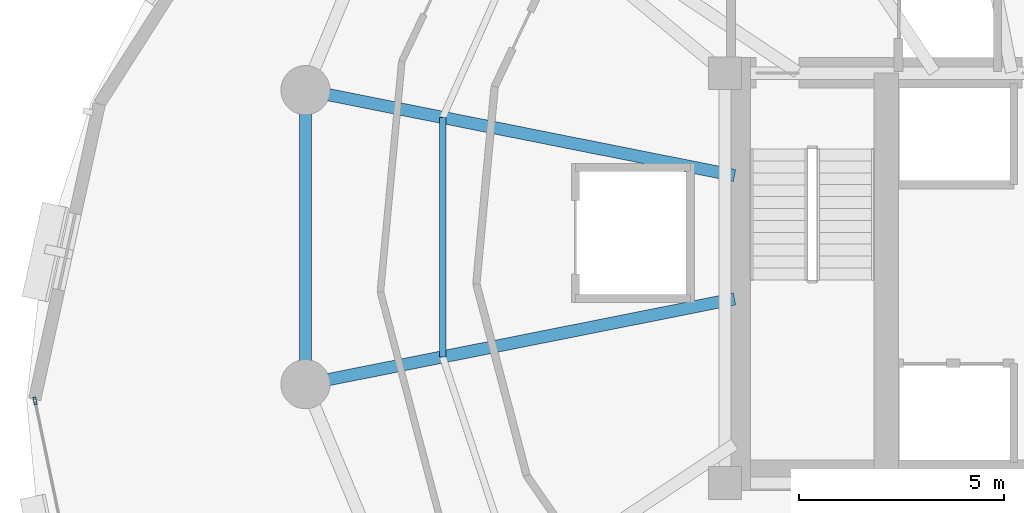
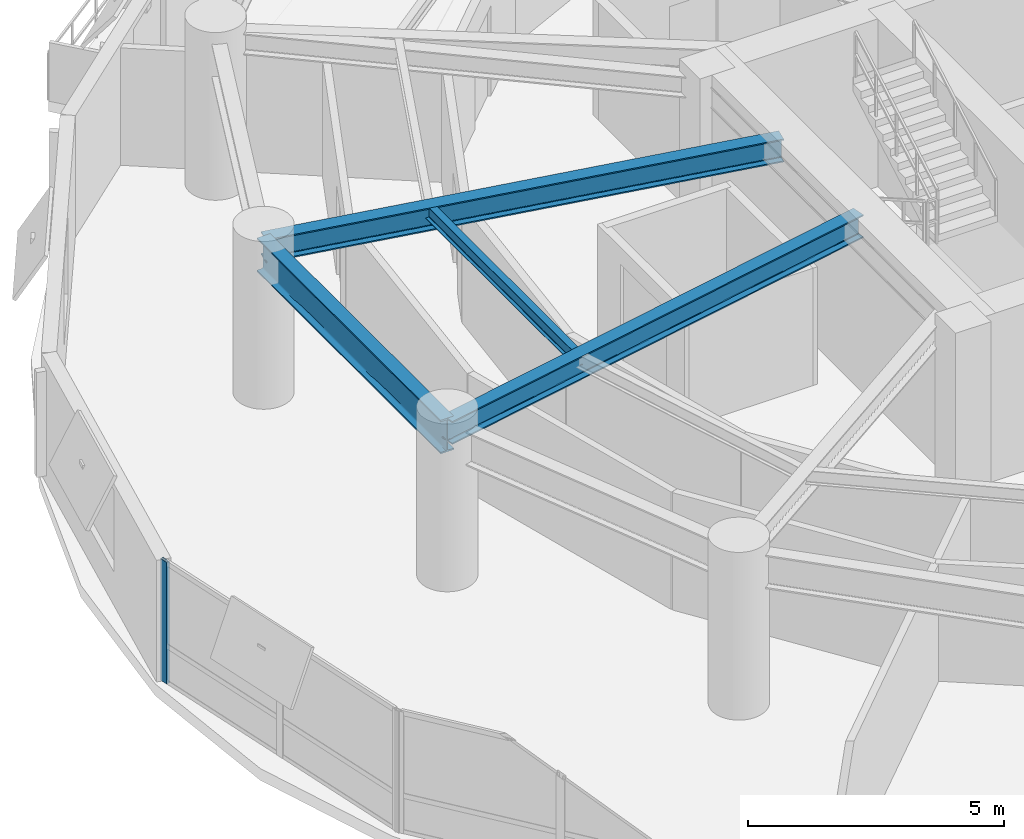
# One storey, part 4 of 14: 4 beams, 1 member, 1 element without a shape of its own.
"""IFC4 building model written with IfcOpenShell, lengths in metres."""

from ifc_helpers import new_model, si_unit, direction, frame, origin, origin_2d, place, context, subcontext, project, spatial, hollow_rectangle, i_section, extrude, material, layer, layer_set, material_profile, profile_set, type_object, element, aggregate, save


model = new_model("IFC4")

# Units and contexts
model_context = context("Model", 3, precision=1e-05, world=origin(), true_north=direction((0.0, 1.0)))
body_context = subcontext(model_context, "Body", "Model", "MODEL_VIEW")
ifc_project = project(units=[si_unit("LENGTHUNIT", "METRE"), si_unit("AREAUNIT", "SQUARE_METRE"), si_unit("VOLUMEUNIT", "CUBIC_METRE"), si_unit("PLANEANGLEUNIT", "RADIAN"), si_unit("MASSUNIT", "GRAM", prefix="KILO"), si_unit("THERMODYNAMICTEMPERATUREUNIT", "KELVIN"), si_unit("POWERUNIT", "WATT")], contexts=[model_context])

# Site, building, storey
site_placement = place(None, origin())
site = spatial("IfcSite", under=ifc_project, at=site_placement, CompositionType="ELEMENT")
building_placement = place(site_placement, origin())
building = spatial("IfcBuilding", under=site, at=building_placement, Name="Ocrelia Relay Tower", CompositionType="ELEMENT")
storey_placement = place(building_placement, frame((0.0, 0.0, 137.800048828125)))
storey = spatial("IfcBuildingStorey", under=building, at=storey_placement, Name="L32", CompositionType="ELEMENT", Elevation=137.800048828125)

# Beams
ifc_material_1 = material(Name="Steel S355", Category="steel")
ifc_material_profile_1 = material_profile(ifc_material_1, i_section(OverallWidth=0.300048828125, OverallDepth=0.550048828125, WebThickness=0.014892578125, FlangeThickness=0.029052734375, FilletRadius=0.027099609375, at=origin_2d()), Name="HEB 550")
ifc_profile_set_1 = profile_set([ifc_material_profile_1], Name="Steel S355")
beam_type_1 = type_object("IfcBeamType", Name="BM-HEB550", PredefinedType="BEAM", material=ifc_profile_set_1)
for number, where, z_axis, x_axis, name in (
    (1, (15.95361328125, 29.589599609375, 3.445068359375), (0.980787592082, -0.195078700063, 0.0), (0.195078700063, 0.980787592082, 0.0), "L32 Radial Floor Girder R08"),
    (2, (15.95361328125, 22.410400390625, 3.445068359375), (0.980787592082, 0.195078700063, 0.0), (-0.195078700063, 0.980787592082, 0.0), "L32 Radial Floor Girder R09"),
):
    element("IfcBeam", number, at=place(storey_placement, frame(where, z_axis=z_axis, x_axis=x_axis)), inside=storey, type_object=beam_type_1, Name=name, PredefinedType="BEAM", context=body_context, shape_type="SweptSolid", body=[
        extrude(i_section(OverallWidth=0.300048828125, OverallDepth=0.550048828125, WebThickness=0.014892578125, FlangeThickness=0.029052734375, FilletRadius=0.027099609375, at=origin_2d()), origin(), (0.0, 0.0, 1.0), 10.681640625),
    ])
ifc_material_profile_2 = material_profile(ifc_material_1, i_section(OverallWidth=0.300048828125, OverallDepth=0.800048828125, WebThickness=0.017578125, FlangeThickness=0.032958984375, FilletRadius=0.030029296875, at=origin_2d()), Name="HEB 800")
ifc_profile_set_2 = profile_set([ifc_material_profile_2], Name="Steel S355")
beam_type_2 = type_object("IfcBeamType", Name="BM-HEB800", PredefinedType="BEAM", material=ifc_profile_set_2)
beam_1_placement = place(storey_placement, frame((15.95361328125, 29.589599609375, 3.320068359375), z_axis=(0.0, -1.0, 0.0), x_axis=(1.0, 0.0, 0.0)))
element("IfcBeam", 3, at=beam_1_placement, inside=storey, type_object=beam_type_2, Name="L32 Perimeter Spandrel Beam S08", PredefinedType="BEAM", context=body_context, shape_type="SweptSolid", body=[
    extrude(i_section(OverallWidth=0.300048828125, OverallDepth=0.800048828125, WebThickness=0.017578125, FlangeThickness=0.032958984375, FilletRadius=0.030029296875, at=origin_2d()), origin(), (0.0, 0.0, 1.0), 7.17919921875),
])
ifc_material_profile_3 = material_profile(ifc_material_1, i_section(OverallWidth=0.159912109375, OverallDepth=0.330078125, WebThickness=0.007568359375, FlangeThickness=0.011474609375, FilletRadius=0.01806640625, at=origin_2d()), Name="IPE 330")
ifc_profile_set_3 = profile_set([ifc_material_profile_3], Name="Steel S355")
beam_type_3 = type_object("IfcBeamType", Name="BM-IPE330", PredefinedType="JOIST", material=ifc_profile_set_3)
beam_2_placement = place(storey_placement, frame((19.305908203125, 28.9228515625, 3.554931640625), z_axis=(0.0, -1.0, 0.0), x_axis=(1.0, 0.0, 0.0)))
element("IfcBeam", 4, at=beam_2_placement, inside=storey, type_object=beam_type_3, Name="L32 Secondary Floor Joist J08", PredefinedType="JOIST", context=body_context, shape_type="SweptSolid", body=[
    extrude(i_section(OverallWidth=0.159912109375, OverallDepth=0.330078125, WebThickness=0.007568359375, FlangeThickness=0.011474609375, FilletRadius=0.01806640625, at=origin_2d()), origin(), (0.0, 0.0, 1.0), 5.845703125),
])

# Curtain wall, member
ifc_material_2 = material(Name="Aluminium and solar-control low-E glass", Category="aluminium")
ifc_layer = layer(ifc_material_2, 0.179931640625, Name="Aluminium and solar-control low-E glass")
ifc_layer_set = layer_set([ifc_layer], Name="Aluminium and solar-control low-E glass")
curtain_wall_type = type_object("IfcCurtainWallType", Name="CW-SYS-Z2-SWIT", PredefinedType="NOTDEFINED", material=ifc_layer_set)
curtain_wall_placement = place(storey_placement, origin())
curtain_wall = element("IfcCurtainWall", 5, at=curtain_wall_placement, inside=storey, type_object=curtain_wall_type, Name="L32 Elliptical Tower Curtain Wall Bay 09", PredefinedType="NOTDEFINED")
ifc_material_3 = material(Name="Anodised bronze aluminium", Category="aluminium")
ifc_material_profile_4 = material_profile(ifc_material_3, hollow_rectangle(XDim=0.070068359375, YDim=0.179931640625, WallThickness=0.006103515625, at=origin_2d()), Name="CW-MUL-180x70")
ifc_profile_set_4 = profile_set([ifc_material_profile_4], Name="Anodised bronze aluminium")
member_type = type_object("IfcMemberType", Name="CW-SYS-Z2-SWIT-MUL", PredefinedType="MULLION", material=ifc_profile_set_4)
member_placement = place(storey_placement, frame((9.350830078125, 22.003662109375, 0.0), z_axis=(0.0, 0.0, 1.0), x_axis=(0.979113967435, 0.203312170747, 0.0)))
member = element("IfcMember", 6, at=member_placement, type_object=member_type, Name="CW-Z2 mullion 1", PredefinedType="MULLION", context=body_context, shape_type="SweptSolid", body=[
    extrude(hollow_rectangle(XDim=0.070068359375, YDim=0.179931640625, WallThickness=0.006103515625, at=origin_2d()), origin(), (0.0, 0.0, 1.0), 2.89990234375),
])
aggregate(curtain_wall, [member])

save(model, "model.ifc")
